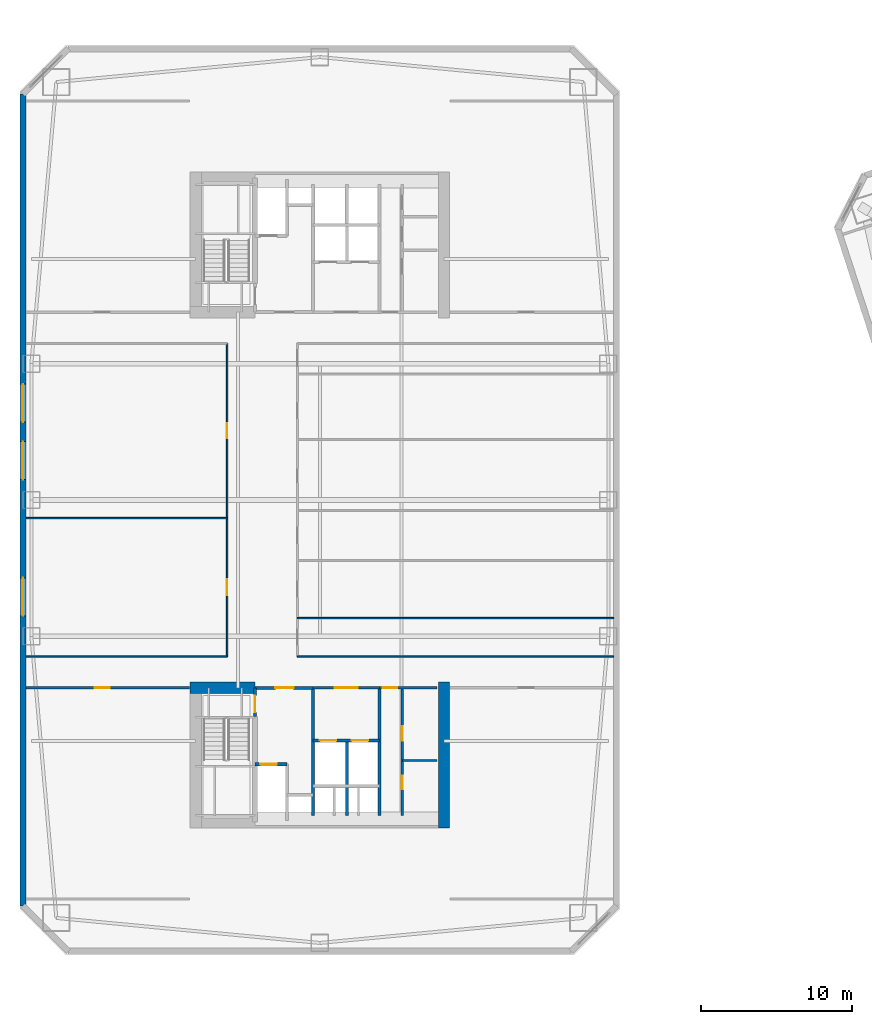
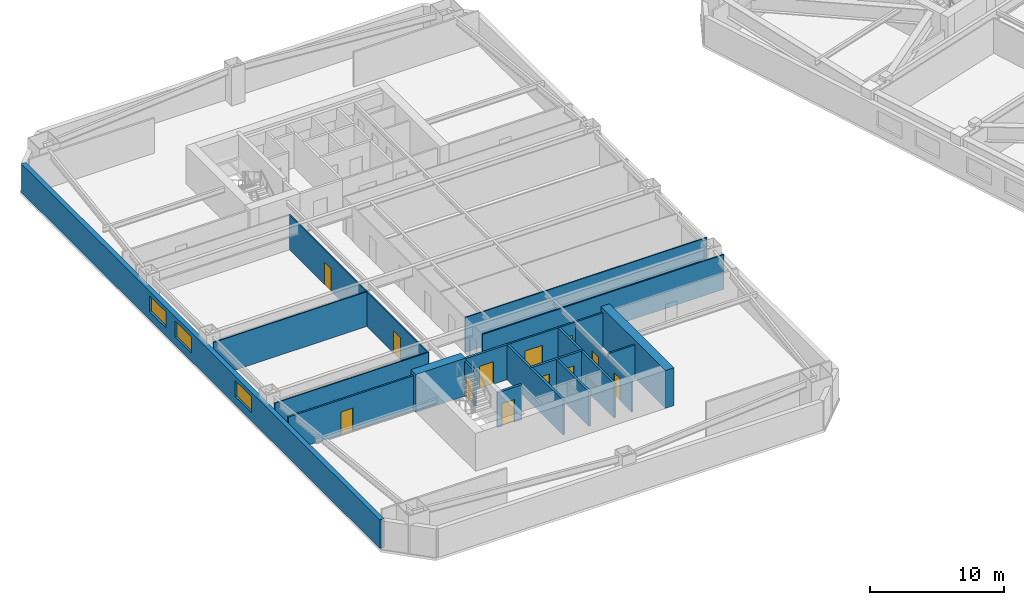
# One storey, part 11 of 18: 20 walls, 12 doors, 3 windows, 15 openings.
"""IFC4 building model written with IfcOpenShell, lengths in metres."""

from ifc_helpers import new_model, si_unit, direction, frame, frame_2d, origin, place, context, subcontext, project, spatial, rectangle, extrude, material, layer, layer_set, type_object, element, fill, save


model = new_model("IFC4")

# Units and contexts
model_context = context("Model", 3, precision=1e-05, world=origin(), true_north=direction((0.0, 1.0)))
body_context = subcontext(model_context, "Body", "Model", "MODEL_VIEW")
ifc_project = project(units=[si_unit("LENGTHUNIT", "METRE"), si_unit("AREAUNIT", "SQUARE_METRE"), si_unit("VOLUMEUNIT", "CUBIC_METRE"), si_unit("PLANEANGLEUNIT", "RADIAN"), si_unit("MASSUNIT", "GRAM", prefix="KILO")], contexts=[model_context])

# Site, building, storey
site_placement = place(None, origin())
site = spatial("IfcSite", under=ifc_project, at=site_placement, CompositionType="ELEMENT")
building_placement = place(site_placement, origin())
building = spatial("IfcBuilding", under=site, at=building_placement, Name="Qiaolan Cultural Towers", CompositionType="ELEMENT")
storey_placement = place(building_placement, frame((0.0, 0.0, 74.75)))
storey = spatial("IfcBuildingStorey", under=building, at=storey_placement, Name="L18", CompositionType="ELEMENT", Elevation=74.75)

# Walls
ifc_material_1 = material(Name="Concrete C60", Category="concrete")
ifc_layer_1 = layer(ifc_material_1, 0.75)
ifc_layer_set_1 = layer_set([ifc_layer_1], Name="Concrete C60")
wall_type_1 = type_object("IfcWallType", Name="WL-CORE-750", PredefinedType="SHEAR", material=ifc_layer_set_1)
wall_1_placement = place(storey_placement, frame((38.199951171875, 21.97509765625, 0.0), z_axis=(0.0, 0.0, 1.0), x_axis=(0.0, -1.0, 0.0)))
element("IfcWall", 1, at=wall_1_placement, inside=storey, type_object=wall_type_1, Name="L18 T1-CS East Core Shear Wall", PredefinedType="SHEAR", context=body_context, shape_type="SweptSolid", body=[
    extrude(rectangle(XDim=9.630126953125, YDim=0.75, at=frame_2d((4.81494140625, 0.0))), origin(), (0.0, 0.0, 1.0), 3.449951171875),
])
wall_2_placement = place(storey_placement, frame((21.425048828125, 21.60009765625, 0.0), z_axis=(0.0, 0.0, 1.0), x_axis=(1.0, 0.0, 0.0)))
element("IfcWall", 2, at=wall_2_placement, inside=storey, type_object=wall_type_1, Name="L18 T1-CS Stair Front Shear Wall", PredefinedType="SHEAR", context=body_context, shape_type="SweptSolid", body=[
    extrude(rectangle(XDim=4.294921875, YDim=0.75, at=frame_2d((2.1474609375, 0.0))), origin(), (0.0, 0.0, 1.0), 3.449951171875),
])

# Wall, openings, windows
ifc_material_2 = material(Name="Precast Concrete C50 Honed Stone Pier", Category="masonry")
ifc_layer_2 = layer(ifc_material_2, 0.39990234375)
ifc_layer_set_2 = layer_set([ifc_layer_2], Name="Precast Concrete C50 Honed Stone Pier")
wall_type_2 = type_object("IfcWallType", Name="WL-EXT-PIER-400", PredefinedType="SOLIDWALL", material=ifc_layer_set_2)
wall_3_placement = place(storey_placement, frame((10.39990234375, 7.199951171875, 0.0), z_axis=(0.0, 0.0, 1.0), x_axis=(0.0, 1.0, 0.0)))
wall_3 = element("IfcWall", 3, at=wall_3_placement, inside=storey, type_object=wall_type_2, Name="L18 West Tower Precast Pier Facade Wall F1", PredefinedType="SOLIDWALL", context=body_context, shape_type="SweptSolid", body=[
    extrude(rectangle(XDim=53.60009765625, YDim=0.39990234375, at=frame_2d((26.800048828125, 0.0))), origin(), (0.0, 0.0, 1.0), 2.610107421875),
])
opening_1_placement = place(wall_3_placement, frame((19.14990234375, 0.0, 0.75)))
opening_1 = element("IfcOpeningElement", 4, at=opening_1_placement, cuts=wall_3, Name="Opening W-01", PredefinedType="OPENING", context=body_context, shape_type="SweptSolid", body=[
    extrude(rectangle(XDim=2.5, YDim=1.4599609375, at=frame_2d((1.25, 0.72998046875))), frame((0.0, 0.2099609375, 0.0), z_axis=(0.0, -1.0, 0.0), x_axis=(1.0, 0.0, 0.0)), (0.0, 0.0, 1.0), 0.419921875),
])
opening_2_placement = place(wall_3_placement, frame((28.14990234375, 0.0, 0.75)))
opening_2 = element("IfcOpeningElement", 5, at=opening_2_placement, cuts=wall_3, Name="Opening W-01", PredefinedType="OPENING", context=body_context, shape_type="SweptSolid", body=[
    extrude(rectangle(XDim=2.5, YDim=1.4599609375, at=frame_2d((1.25, 0.72998046875))), frame((0.0, 0.2099609375, 0.0), z_axis=(0.0, -1.0, 0.0), x_axis=(1.0, 0.0, 0.0)), (0.0, 0.0, 1.0), 0.419921875),
])
opening_3_placement = place(wall_3_placement, frame((31.949951171875, 0.0, 0.75)))
opening_3 = element("IfcOpeningElement", 6, at=opening_3_placement, cuts=wall_3, Name="Opening W-01", PredefinedType="OPENING", context=body_context, shape_type="SweptSolid", body=[
    extrude(rectangle(XDim=2.5, YDim=1.4599609375, at=frame_2d((1.25, 0.72998046875))), frame((0.0, 0.2099609375, 0.0), z_axis=(0.0, -1.0, 0.0), x_axis=(1.0, 0.0, 0.0)), (0.0, 0.0, 1.0), 0.419921875),
])
ifc_material_3 = material(Name="Thermally Broken Aluminium Triple Low-E Glazing", Category="aluminium")
window_type = type_object("IfcWindowType", Name="WN-CHIC-2500", PartitioningType="SINGLE_PANEL", PredefinedType="WINDOW", material=ifc_material_3)
window_1_placement = place(opening_1_placement, origin())
window_1 = element("IfcWindow", 7, at=window_1_placement, inside=storey, type_object=window_type, Name="L18 T1 W Chicago Bay Window 1", OverallHeight=1.4599609375, OverallWidth=2.5, PartitioningType="TRIPLE_PANEL_VERTICAL", PredefinedType="WINDOW", context=body_context, shape_type="SweptSolid", body=[
    extrude(rectangle(XDim=2.5, YDim=1.4599609375, at=frame_2d((1.25, 0.72998046875))), frame((0.0, 0.030029296875, 0.0), z_axis=(0.0, -1.0, 0.0), x_axis=(1.0, 0.0, 0.0)), (0.0, 0.0, 1.0), 0.06005859375),
])
fill(opening_1, window_1)
window_2_placement = place(opening_2_placement, origin())
window_2 = element("IfcWindow", 8, at=window_2_placement, inside=storey, type_object=window_type, Name="L18 T1 W Chicago Bay Window 2", OverallHeight=1.4599609375, OverallWidth=2.5, PartitioningType="TRIPLE_PANEL_VERTICAL", PredefinedType="WINDOW", context=body_context, shape_type="SweptSolid", body=[
    extrude(rectangle(XDim=2.5, YDim=1.4599609375, at=frame_2d((1.25, 0.72998046875))), frame((0.0, 0.030029296875, 0.0), z_axis=(0.0, -1.0, 0.0), x_axis=(1.0, 0.0, 0.0)), (0.0, 0.0, 1.0), 0.06005859375),
])
fill(opening_2, window_2)
window_3_placement = place(opening_3_placement, origin())
window_3 = element("IfcWindow", 9, at=window_3_placement, inside=storey, type_object=window_type, Name="L18 T1 W Chicago Bay Window 3", OverallHeight=1.4599609375, OverallWidth=2.5, PartitioningType="TRIPLE_PANEL_VERTICAL", PredefinedType="WINDOW", context=body_context, shape_type="SweptSolid", body=[
    extrude(rectangle(XDim=2.5, YDim=1.4599609375, at=frame_2d((1.25, 0.72998046875))), frame((0.0, 0.030029296875, 0.0), z_axis=(0.0, -1.0, 0.0), x_axis=(1.0, 0.0, 0.0)), (0.0, 0.0, 1.0), 0.06005859375),
])
fill(opening_3, window_3)

# Wall, opening, door
ifc_material_4 = material(Name="Concrete C35 Fire Wall", Category="concrete")
ifc_layer_3 = layer(ifc_material_4, 0.199951171875)
ifc_layer_set_3 = layer_set([ifc_layer_3], Name="Concrete C35 Fire Wall")
wall_type_3 = type_object("IfcWallType", Name="WL-FIRE-200", PredefinedType="PARTITIONING", material=ifc_layer_set_3)
wall_4_placement = place(storey_placement, frame((25.719970703125, 21.60009765625, 0.0), z_axis=(0.0, 0.0, 1.0), x_axis=(0.0, -1.0, 0.0)))
wall_4 = element("IfcWall", 10, at=wall_4_placement, inside=storey, type_object=wall_type_3, Name="L18 T1-CS Smokeproof Stair Entry Wall", PredefinedType="PARTITIONING", context=body_context, shape_type="SweptSolid", body=[
    extrude(rectangle(XDim=1.900146484375, YDim=0.199951171875, at=frame_2d((0.9501953125, 0.0))), origin(), (0.0, 0.0, 1.0), 3.175048828125),
])
opening_4_placement = place(wall_4_placement, frame((0.52001953125, 0.0, 0.0)))
opening_4 = element("IfcOpeningElement", 11, at=opening_4_placement, cuts=wall_4, Name="Opening FD-04", PredefinedType="OPENING", context=body_context, shape_type="SweptSolid", body=[
    extrude(rectangle(XDim=1.10009765625, YDim=2.050048828125, at=frame_2d((0.550048828125, 1.02490234375))), frame((0.0, 0.10986328125, 0.0), z_axis=(0.0, -1.0, 0.0), x_axis=(1.0, 0.0, 0.0)), (0.0, 0.0, 1.0), 0.219970703125),
])
ifc_material_5 = material(Name="Galvanized Steel Command Fire Door", Category="steel")
door_type_1 = type_object("IfcDoorType", Name="DR-FD90-1100", OperationType="NOTDEFINED", PredefinedType="DOOR", material=ifc_material_5)
door_1_placement = place(opening_4_placement, origin())
door_1 = element("IfcDoor", 12, at=door_1_placement, inside=storey, type_object=door_type_1, Name="L18 ST-W1 Smokeproof Stair Fire Door", OperationType="SINGLE_SWING_LEFT", OverallHeight=2.050048828125, OverallWidth=1.10009765625, PredefinedType="DOOR", context=body_context, shape_type="SweptSolid", body=[
    extrude(rectangle(XDim=1.10009765625, YDim=2.050048828125, at=frame_2d((0.550048828125, 1.02490234375))), frame((0.0, 0.02490234375, 0.0), z_axis=(0.0, -1.0, 0.0), x_axis=(1.0, 0.0, 0.0)), (0.0, 0.0, 1.0), 0.050048828125),
])
fill(opening_4, door_1)

# Wall
wall_5_placement = place(storey_placement, frame((29.550048828125, 21.60009765625, 0.0), z_axis=(0.0, 0.0, 1.0), x_axis=(0.0, -1.0, 0.0)))
element("IfcWall", 13, at=wall_5_placement, inside=storey, type_object=wall_type_3, Name="L18 T1-CS Firefighting Zone Wall", PredefinedType="PARTITIONING", context=body_context, shape_type="SweptSolid", body=[
    extrude(rectangle(XDim=8.43017578125, YDim=0.199951171875, at=frame_2d((4.215087890625, 0.0))), origin(), (0.0, 0.0, 1.0), 3.175048828125),
])

# Wall, opening, door
wall_6_placement = place(storey_placement, frame((25.719970703125, 21.60009765625, 0.0), z_axis=(0.0, 0.0, 1.0), x_axis=(1.0, 0.0, 0.0)))
wall_6 = element("IfcWall", 14, at=wall_6_placement, inside=storey, type_object=wall_type_3, Name="L18 T1-CS Firefighting Lobby Front Wall", PredefinedType="PARTITIONING", context=body_context, shape_type="SweptSolid", body=[
    extrude(rectangle(XDim=3.830078125, YDim=0.199951171875, at=frame_2d((1.9150390625, 0.0))), origin(), (0.0, 0.0, 1.0), 3.175048828125),
])
opening_5_placement = place(wall_6_placement, frame((1.35009765625, 0.0, 0.0)))
opening_5 = element("IfcOpeningElement", 15, at=opening_5_placement, cuts=wall_6, Name="Opening FD-03", PredefinedType="OPENING", context=body_context, shape_type="SweptSolid", body=[
    extrude(rectangle(XDim=1.199951171875, YDim=2.050048828125, at=frame_2d((0.60009765625, 1.02490234375))), frame((0.0, 0.10986328125, 0.0), z_axis=(0.0, -1.0, 0.0), x_axis=(1.0, 0.0, 0.0)), (0.0, 0.0, 1.0), 0.219970703125),
])
ifc_material_6 = material(Name="Galvanized Steel Smokeproof Lobby Fire Door", Category="steel")
door_type_2 = type_object("IfcDoorType", Name="DR-FD90-1200", OperationType="NOTDEFINED", PredefinedType="DOOR", material=ifc_material_6)
door_2_placement = place(opening_5_placement, origin())
door_2 = element("IfcDoor", 16, at=door_2_placement, inside=storey, type_object=door_type_2, Name="L18 FFL-W1 Firefighting Lobby Fire Door", OperationType="SINGLE_SWING_LEFT", OverallHeight=2.050048828125, OverallWidth=1.199951171875, PredefinedType="DOOR", context=body_context, shape_type="SweptSolid", body=[
    extrude(rectangle(XDim=1.199951171875, YDim=2.050048828125, at=frame_2d((0.60009765625, 1.02490234375))), frame((0.0, 0.02490234375, 0.0), z_axis=(0.0, -1.0, 0.0), x_axis=(1.0, 0.0, 0.0)), (0.0, 0.0, 1.0), 0.050048828125),
])
fill(opening_5, door_2)

wall_7_placement = place(storey_placement, frame((25.719970703125, 16.550048828125, 0.0), z_axis=(0.0, 0.0, 1.0), x_axis=(1.0, 0.0, 0.0)))
wall_7 = element("IfcWall", 17, at=wall_7_placement, inside=storey, type_object=wall_type_3, Name="L18 T1-CS Firefighting Shaft Front Wall", PredefinedType="PARTITIONING", context=body_context, shape_type="SweptSolid", body=[
    extrude(rectangle(XDim=2.10009765625, YDim=0.199951171875, at=frame_2d((1.050048828125, 0.0))), origin(), (0.0, 0.0, 1.0), 3.175048828125),
])
opening_6_placement = place(wall_7_placement, frame((0.35009765625, 0.0, 0.0)))
opening_6 = element("IfcOpeningElement", 18, at=opening_6_placement, cuts=wall_7, Name="Opening LD-01", PredefinedType="OPENING", context=body_context, shape_type="SweptSolid", body=[
    extrude(rectangle(XDim=1.10009765625, YDim=2.050048828125, at=frame_2d((0.550048828125, 1.02490234375))), frame((0.0, 0.10986328125, 0.0), z_axis=(0.0, -1.0, 0.0), x_axis=(1.0, 0.0, 0.0)), (0.0, 0.0, 1.0), 0.219970703125),
])
ifc_material_7 = material(Name="Brushed Stainless Steel S30408 Centre-Parting Lift Landing Door", Category="steel")
door_type_3 = type_object("IfcDoorType", Name="DR-LIFT-1100", OperationType="NOTDEFINED", PredefinedType="DOOR", material=ifc_material_7)
door_3_placement = place(opening_6_placement, origin())
door_3 = element("IfcDoor", 19, at=door_3_placement, inside=storey, type_object=door_type_3, Name="L18 FFL-W1 Firefighting Lift Landing Door", OperationType="DOUBLE_DOOR_SLIDING", OverallHeight=2.050048828125, OverallWidth=1.10009765625, PredefinedType="DOOR", context=body_context, shape_type="SweptSolid", body=[
    extrude(rectangle(XDim=1.10009765625, YDim=2.050048828125, at=frame_2d((0.550048828125, 1.02490234375))), frame((0.0, 0.02490234375, 0.0), z_axis=(0.0, -1.0, 0.0), x_axis=(1.0, 0.0, 0.0)), (0.0, 0.0, 1.0), 0.050048828125),
])
fill(opening_6, door_3)

# Wall
wall_8_placement = place(storey_placement, frame((33.949951171875, 21.60009765625, 0.0), z_axis=(0.0, 0.0, 1.0), x_axis=(0.0, -1.0, 0.0)))
element("IfcWall", 20, at=wall_8_placement, inside=storey, type_object=wall_type_3, Name="L18 T1-CS Lift Core East Wall", PredefinedType="PARTITIONING", context=body_context, shape_type="SweptSolid", body=[
    extrude(rectangle(XDim=8.43017578125, YDim=0.199951171875, at=frame_2d((4.215087890625, 0.0))), origin(), (0.0, 0.0, 1.0), 3.175048828125),
])

# Wall, openings, doors
wall_9_placement = place(storey_placement, frame((29.550048828125, 18.1201171875, 0.0), z_axis=(0.0, 0.0, 1.0), x_axis=(1.0, 0.0, 0.0)))
wall_9 = element("IfcWall", 21, at=wall_9_placement, inside=storey, type_object=wall_type_3, Name="L18 T1-CS Passenger Lift Shaft Front Wall", PredefinedType="PARTITIONING", context=body_context, shape_type="SweptSolid", body=[
    extrude(rectangle(XDim=4.39990234375, YDim=0.199951171875, at=frame_2d((2.199951171875, 0.0))), origin(), (0.0, 0.0, 1.0), 3.175048828125),
])
opening_7_placement = place(wall_9_placement, frame((0.449951171875, 0.0, 0.0)))
opening_7 = element("IfcOpeningElement", 22, at=opening_7_placement, cuts=wall_9, Name="Opening LD-01", PredefinedType="OPENING", context=body_context, shape_type="SweptSolid", body=[
    extrude(rectangle(XDim=1.10009765625, YDim=2.050048828125, at=frame_2d((0.550048828125, 1.02490234375))), frame((0.0, 0.10986328125, 0.0), z_axis=(0.0, -1.0, 0.0), x_axis=(1.0, 0.0, 0.0)), (0.0, 0.0, 1.0), 0.219970703125),
])
opening_8_placement = place(wall_9_placement, frame((2.550048828125, 0.0, 0.0)))
opening_8 = element("IfcOpeningElement", 23, at=opening_8_placement, cuts=wall_9, Name="Opening LD-01", PredefinedType="OPENING", context=body_context, shape_type="SweptSolid", body=[
    extrude(rectangle(XDim=1.10009765625, YDim=2.050048828125, at=frame_2d((0.550048828125, 1.02490234375))), frame((0.0, 0.10986328125, 0.0), z_axis=(0.0, -1.0, 0.0), x_axis=(1.0, 0.0, 0.0)), (0.0, 0.0, 1.0), 0.219970703125),
])
door_4_placement = place(opening_7_placement, origin())
door_4 = element("IfcDoor", 24, at=door_4_placement, inside=storey, type_object=door_type_3, Name="L18 Passenger Lift 1 Landing Door", OperationType="DOUBLE_DOOR_SLIDING", OverallHeight=2.050048828125, OverallWidth=1.10009765625, PredefinedType="DOOR", context=body_context, shape_type="SweptSolid", body=[
    extrude(rectangle(XDim=1.10009765625, YDim=2.050048828125, at=frame_2d((0.550048828125, 1.02490234375))), frame((0.0, 0.02490234375, 0.0), z_axis=(0.0, -1.0, 0.0), x_axis=(1.0, 0.0, 0.0)), (0.0, 0.0, 1.0), 0.050048828125),
])
fill(opening_7, door_4)
door_5_placement = place(opening_8_placement, origin())
door_5 = element("IfcDoor", 25, at=door_5_placement, inside=storey, type_object=door_type_3, Name="L18 Passenger Lift 2 Landing Door", OperationType="DOUBLE_DOOR_SLIDING", OverallHeight=2.050048828125, OverallWidth=1.10009765625, PredefinedType="DOOR", context=body_context, shape_type="SweptSolid", body=[
    extrude(rectangle(XDim=1.10009765625, YDim=2.050048828125, at=frame_2d((0.550048828125, 1.02490234375))), frame((0.0, 0.02490234375, 0.0), z_axis=(0.0, -1.0, 0.0), x_axis=(1.0, 0.0, 0.0)), (0.0, 0.0, 1.0), 0.050048828125),
])
fill(opening_8, door_5)

# Walls
wall_10_placement = place(storey_placement, frame((31.780029296875, 18.1201171875, 0.0), z_axis=(0.0, 0.0, 1.0), x_axis=(0.0, -1.0, 0.0)))
element("IfcWall", 26, at=wall_10_placement, inside=storey, type_object=wall_type_3, Name="L18 T1-CS Lift Shaft Divider Wall", PredefinedType="PARTITIONING", context=body_context, shape_type="SweptSolid", body=[
    extrude(rectangle(XDim=4.9501953125, YDim=0.199951171875, at=frame_2d((2.47509765625, 0.0))), origin(), (0.0, 0.0, 1.0), 3.175048828125),
])
ifc_material_8 = material(Name="Acoustic Double-Glazed Partition Frame", Category="glass")
ifc_layer_4 = layer(ifc_material_8, 0.10009765625)
ifc_layer_set_4 = layer_set([ifc_layer_4], Name="Acoustic Double-Glazed Partition Frame")
wall_type_4 = type_object("IfcWallType", Name="WL-GLAZED-100", PredefinedType="MOVABLE", material=ifc_layer_set_4)
wall_11_placement = place(storey_placement, frame((10.60009765625, 23.64990234375, 0.0), z_axis=(0.0, 0.0, 1.0), x_axis=(1.0, 0.0, 0.0)))
element("IfcWall", 27, at=wall_11_placement, inside=storey, type_object=wall_type_4, Name="L18 T1 South Corridor Left Wall", PredefinedType="MOVABLE", context=body_context, shape_type="SweptSolid", body=[
    extrude(rectangle(XDim=13.27490234375, YDim=0.10009765625, at=frame_2d((6.637451171875, 0.0))), origin(), (0.0, 0.0, 1.0), 3.175048828125),
])
wall_12_placement = place(storey_placement, frame((28.52490234375, 23.64990234375, 0.0), z_axis=(0.0, 0.0, 1.0), x_axis=(1.0, 0.0, 0.0)))
element("IfcWall", 28, at=wall_12_placement, inside=storey, type_object=wall_type_4, Name="L18 T1 South Corridor Right Wall", PredefinedType="MOVABLE", context=body_context, shape_type="SweptSolid", body=[
    extrude(rectangle(XDim=20.875, YDim=0.10009765625, at=frame_2d((10.4375, 0.0))), origin(), (0.0, 0.0, 1.0), 3.175048828125),
])

# Wall, openings, doors
wall_13_placement = place(storey_placement, frame((23.875, 23.64990234375, 0.0), z_axis=(0.0, 0.0, 1.0), x_axis=(0.0, 1.0, 0.0)))
wall_13 = element("IfcWall", 29, at=wall_13_placement, inside=storey, type_object=wall_type_4, Name="L18 T1 West Spine Wall", PredefinedType="MOVABLE", context=body_context, shape_type="SweptSolid", body=[
    extrude(rectangle(XDim=20.7001953125, YDim=0.10009765625, at=frame_2d((10.35009765625, 0.0))), origin(), (0.0, 0.0, 1.0), 3.175048828125),
])
opening_9_placement = place(wall_13_placement, frame((4.074951171875, 0.0, 0.0)))
opening_9 = element("IfcOpeningElement", 30, at=opening_9_placement, cuts=wall_13, Name="Opening ID-07", PredefinedType="OPENING", context=body_context, shape_type="SweptSolid", body=[
    extrude(rectangle(XDim=1.050048828125, YDim=2.050048828125, at=frame_2d((0.52490234375, 1.02490234375))), frame((0.0, 0.06005859375, 0.0), z_axis=(0.0, -1.0, 0.0), x_axis=(1.0, 0.0, 0.0)), (0.0, 0.0, 1.0), 0.1201171875),
])
opening_10_placement = place(wall_13_placement, frame((14.425048828125, 0.0, 0.0)))
opening_10 = element("IfcOpeningElement", 31, at=opening_10_placement, cuts=wall_13, Name="Opening ID-04", PredefinedType="OPENING", context=body_context, shape_type="SweptSolid", body=[
    extrude(rectangle(XDim=1.0, YDim=2.050048828125, at=frame_2d((0.5, 1.02490234375))), frame((0.0, 0.06005859375, 0.0), z_axis=(0.0, -1.0, 0.0), x_axis=(1.0, 0.0, 0.0)), (0.0, 0.0, 1.0), 0.1201171875),
])
ifc_material_9 = material(Name="Oak Veneer Acoustic Office Door", Category="timber")
door_type_4 = type_object("IfcDoorType", Name="DR-INT-1000", OperationType="NOTDEFINED", PredefinedType="DOOR", material=ifc_material_9)
door_6_placement = place(opening_10_placement, origin())
door_6 = element("IfcDoor", 32, at=door_6_placement, inside=storey, type_object=door_type_4, Name="L18 T1 Cultural Media Hall Door", OperationType="SINGLE_SWING_RIGHT", OverallHeight=2.050048828125, OverallWidth=1.0, PredefinedType="DOOR", context=body_context, shape_type="SweptSolid", body=[
    extrude(rectangle(XDim=1.0, YDim=2.050048828125, at=frame_2d((0.5, 1.02490234375))), frame((0.0, 0.02490234375, 0.0), z_axis=(0.0, -1.0, 0.0), x_axis=(1.0, 0.0, 0.0)), (0.0, 0.0, 1.0), 0.050048828125),
])
fill(opening_10, door_6)
ifc_material_10 = material(Name="Oak Veneer Consultation Door", Category="timber")
door_type_5 = type_object("IfcDoorType", Name="DR-INT-1050", OperationType="NOTDEFINED", PredefinedType="DOOR", material=ifc_material_10)
door_7_placement = place(opening_9_placement, origin())
door_7 = element("IfcDoor", 33, at=door_7_placement, inside=storey, type_object=door_type_5, Name="L18 T1 Open Design Atelier Door", OperationType="SINGLE_SWING_LEFT", OverallHeight=2.050048828125, OverallWidth=1.050048828125, PredefinedType="DOOR", context=body_context, shape_type="SweptSolid", body=[
    extrude(rectangle(XDim=1.050048828125, YDim=2.050048828125, at=frame_2d((0.52490234375, 1.02490234375))), frame((0.0, 0.02490234375, 0.0), z_axis=(0.0, -1.0, 0.0), x_axis=(1.0, 0.0, 0.0)), (0.0, 0.0, 1.0), 0.050048828125),
])
fill(opening_9, door_7)

# Walls
wall_14_placement = place(storey_placement, frame((10.60009765625, 32.800048828125, 0.0), z_axis=(0.0, 0.0, 1.0), x_axis=(1.0, 0.0, 0.0)))
element("IfcWall", 34, at=wall_14_placement, inside=storey, type_object=wall_type_4, Name="L18 T1 West Partition 1", PredefinedType="MOVABLE", context=body_context, shape_type="SweptSolid", body=[
    extrude(rectangle(XDim=13.27490234375, YDim=0.10009765625, at=frame_2d((6.637451171875, 0.0))), origin(), (0.0, 0.0, 1.0), 3.175048828125),
])
wall_15_placement = place(storey_placement, frame((28.52490234375, 26.199951171875, 0.0), z_axis=(0.0, 0.0, 1.0), x_axis=(1.0, 0.0, 0.0)))
element("IfcWall", 35, at=wall_15_placement, inside=storey, type_object=wall_type_4, Name="L18 T1 East Partition 1", PredefinedType="MOVABLE", context=body_context, shape_type="SweptSolid", body=[
    extrude(rectangle(XDim=20.875, YDim=0.10009765625, at=frame_2d((10.4375, 0.0))), origin(), (0.0, 0.0, 1.0), 3.175048828125),
])

# Wall, opening, door
ifc_material_11 = material(Name="Autoclaved Aerated Concrete Block B06", Category="concrete")
ifc_layer_5 = layer(ifc_material_11, 0.14990234375)
ifc_layer_set_5 = layer_set([ifc_layer_5], Name="Autoclaved Aerated Concrete Block B06")
wall_type_5 = type_object("IfcWallType", Name="WL-PART-150", PredefinedType="PARTITIONING", material=ifc_layer_set_5)
wall_16_placement = place(storey_placement, frame((29.550048828125, 21.60009765625, 0.0), z_axis=(0.0, 0.0, 1.0), x_axis=(1.0, 0.0, 0.0)))
wall_16 = element("IfcWall", 36, at=wall_16_placement, inside=storey, type_object=wall_type_5, Name="L18 T1-CS Passenger Lift Lobby Front Wall", PredefinedType="PARTITIONING", context=body_context, shape_type="SweptSolid", body=[
    extrude(rectangle(XDim=4.39990234375, YDim=0.14990234375, at=frame_2d((2.199951171875, 0.0))), origin(), (0.0, 0.0, 1.0), 3.175048828125),
])
opening_11_placement = place(wall_16_placement, frame((1.449951171875, 0.0, 0.0)))
opening_11 = element("IfcOpeningElement", 37, at=opening_11_placement, cuts=wall_16, Name="Opening FD-05", PredefinedType="OPENING", context=body_context, shape_type="SweptSolid", body=[
    extrude(rectangle(XDim=1.5, YDim=2.050048828125, at=frame_2d((0.75, 1.02490234375))), frame((0.0, 0.0849609375, 0.0), z_axis=(0.0, -1.0, 0.0), x_axis=(1.0, 0.0, 0.0)), (0.0, 0.0, 1.0), 0.169921875),
])
ifc_material_12 = material(Name="Painted Steel Lift Lobby Fire Door", Category="steel")
door_type_6 = type_object("IfcDoorType", Name="DR-FD60-1500", OperationType="NOTDEFINED", PredefinedType="DOOR", material=ifc_material_12)
door_8_placement = place(opening_11_placement, origin())
door_8 = element("IfcDoor", 38, at=door_8_placement, inside=storey, type_object=door_type_6, Name="L18 Passenger Lift Lobby Entrance", OperationType="SINGLE_SWING_LEFT", OverallHeight=2.050048828125, OverallWidth=1.5, PredefinedType="DOOR", context=body_context, shape_type="SweptSolid", body=[
    extrude(rectangle(XDim=1.5, YDim=2.050048828125, at=frame_2d((0.75, 1.02490234375))), frame((0.0, 0.02490234375, 0.0), z_axis=(0.0, -1.0, 0.0), x_axis=(1.0, 0.0, 0.0)), (0.0, 0.0, 1.0), 0.050048828125),
])
fill(opening_11, door_8)

wall_17_placement = place(storey_placement, frame((33.949951171875, 21.60009765625, 0.0), z_axis=(0.0, 0.0, 1.0), x_axis=(1.0, 0.0, 0.0)))
wall_17 = element("IfcWall", 39, at=wall_17_placement, inside=storey, type_object=wall_type_5, Name="L18 T1-CS Sanitary Core Front Wall", PredefinedType="PARTITIONING", context=body_context, shape_type="SweptSolid", body=[
    extrude(rectangle(XDim=3.800048828125, YDim=0.14990234375, at=frame_2d((1.89990234375, 0.0))), origin(), (0.0, 0.0, 1.0), 3.175048828125),
])
opening_12_placement = place(wall_17_placement, frame((0.219970703125, 0.0, 0.0)))
opening_12 = element("IfcOpeningElement", 40, at=opening_12_placement, cuts=wall_17, Name="Opening ID-05", PredefinedType="OPENING", context=body_context, shape_type="SweptSolid", body=[
    extrude(rectangle(XDim=0.949951171875, YDim=2.050048828125, at=frame_2d((0.47509765625, 1.02490234375))), frame((0.0, 0.0849609375, 0.0), z_axis=(0.0, -1.0, 0.0), x_axis=(1.0, 0.0, 0.0)), (0.0, 0.0, 1.0), 0.169921875),
])
ifc_material_13 = material(Name="Fire-Rated Laminate Accessible Core Door", Category="timber")
door_type_7 = type_object("IfcDoorType", Name="DR-INT-950", OperationType="NOTDEFINED", PredefinedType="DOOR", material=ifc_material_13)
door_9_placement = place(opening_12_placement, origin())
door_9 = element("IfcDoor", 41, at=door_9_placement, inside=storey, type_object=door_type_7, Name="L18 Sanitary Lobby Door", OperationType="SINGLE_SWING_LEFT", OverallHeight=2.050048828125, OverallWidth=0.949951171875, PredefinedType="DOOR", context=body_context, shape_type="SweptSolid", body=[
    extrude(rectangle(XDim=0.949951171875, YDim=2.050048828125, at=frame_2d((0.47509765625, 1.02490234375))), frame((0.0, 0.02490234375, 0.0), z_axis=(0.0, -1.0, 0.0), x_axis=(1.0, 0.0, 0.0)), (0.0, 0.0, 1.0), 0.050048828125),
])
fill(opening_12, door_9)

# Wall, openings, doors
wall_18_placement = place(storey_placement, frame((35.449951171875, 21.60009765625, 0.0), z_axis=(0.0, 0.0, 1.0), x_axis=(0.0, -1.0, 0.0)))
wall_18 = element("IfcWall", 42, at=wall_18_placement, inside=storey, type_object=wall_type_5, Name="L18 T1-CS Washroom Split Wall", PredefinedType="PARTITIONING", context=body_context, shape_type="SweptSolid", body=[
    extrude(rectangle(XDim=8.43017578125, YDim=0.14990234375, at=frame_2d((4.215087890625, 0.0))), origin(), (0.0, 0.0, 1.0), 2.764892578125),
])
opening_13_placement = place(wall_18_placement, frame((2.550048828125, 0.0, 0.0)))
opening_13 = element("IfcOpeningElement", 43, at=opening_13_placement, cuts=wall_18, Name="Opening ID-05", PredefinedType="OPENING", context=body_context, shape_type="SweptSolid", body=[
    extrude(rectangle(XDim=0.949951171875, YDim=2.050048828125, at=frame_2d((0.47509765625, 1.02490234375))), frame((0.0, 0.0849609375, 0.0), z_axis=(0.0, -1.0, 0.0), x_axis=(1.0, 0.0, 0.0)), (0.0, 0.0, 1.0), 0.169921875),
])
opening_14_placement = place(wall_18_placement, frame((5.800048828125, 0.0, 0.0)))
opening_14 = element("IfcOpeningElement", 44, at=opening_14_placement, cuts=wall_18, Name="Opening ID-06", PredefinedType="OPENING", context=body_context, shape_type="SweptSolid", body=[
    extrude(rectangle(XDim=0.89990234375, YDim=2.050048828125, at=frame_2d((0.449951171875, 1.02490234375))), frame((0.0, 0.0849609375, 0.0), z_axis=(0.0, -1.0, 0.0), x_axis=(1.0, 0.0, 0.0)), (0.0, 0.0, 1.0), 0.169921875),
])
ifc_material_14 = material(Name="Fire-Rated Laminate Core Service Door", Category="timber")
door_type_8 = type_object("IfcDoorType", Name="DR-INT-900", OperationType="NOTDEFINED", PredefinedType="DOOR", material=ifc_material_14)
door_10_placement = place(opening_14_placement, origin())
door_10 = element("IfcDoor", 45, at=door_10_placement, inside=storey, type_object=door_type_8, Name="L18 First-Aid Room Door", OperationType="SINGLE_SWING_RIGHT", OverallHeight=2.050048828125, OverallWidth=0.89990234375, PredefinedType="DOOR", context=body_context, shape_type="SweptSolid", body=[
    extrude(rectangle(XDim=0.89990234375, YDim=2.050048828125, at=frame_2d((0.449951171875, 1.02490234375))), frame((0.0, 0.02490234375, 0.0), z_axis=(0.0, -1.0, 0.0), x_axis=(1.0, 0.0, 0.0)), (0.0, 0.0, 1.0), 0.050048828125),
])
fill(opening_14, door_10)
door_11_placement = place(opening_13_placement, origin())
door_11 = element("IfcDoor", 46, at=door_11_placement, inside=storey, type_object=door_type_7, Name="L18 Accessible Washroom Door", OperationType="SINGLE_SWING_LEFT", OverallHeight=2.050048828125, OverallWidth=0.949951171875, PredefinedType="DOOR", context=body_context, shape_type="SweptSolid", body=[
    extrude(rectangle(XDim=0.949951171875, YDim=2.050048828125, at=frame_2d((0.47509765625, 1.02490234375))), frame((0.0, 0.02490234375, 0.0), z_axis=(0.0, -1.0, 0.0), x_axis=(1.0, 0.0, 0.0)), (0.0, 0.0, 1.0), 0.050048828125),
])
fill(opening_13, door_11)

# Wall
wall_19_placement = place(storey_placement, frame((35.449951171875, 16.800048828125, 0.0), z_axis=(0.0, 0.0, 1.0), x_axis=(1.0, 0.0, 0.0)))
element("IfcWall", 47, at=wall_19_placement, inside=storey, type_object=wall_type_5, Name="L18 T1-CS First-Aid Wall", PredefinedType="PARTITIONING", context=body_context, shape_type="SweptSolid", body=[
    extrude(rectangle(XDim=2.300048828125, YDim=0.14990234375, at=frame_2d((1.14990234375, 0.0))), origin(), (0.0, 0.0, 1.0), 3.175048828125),
])

# Wall, opening, door
wall_20_placement = place(storey_placement, frame((10.60009765625, 21.60009765625, 0.0), z_axis=(0.0, 0.0, 1.0), x_axis=(1.0, 0.0, 0.0)))
wall_20 = element("IfcWall", 48, at=wall_20_placement, inside=storey, type_object=wall_type_5, Name="L18 T1 Flank Front FLK-SW", PredefinedType="PARTITIONING", context=body_context, shape_type="SweptSolid", body=[
    extrude(rectangle(XDim=10.7998046875, YDim=0.14990234375, at=frame_2d((5.39990234375, 0.0))), origin(), (0.0, 0.0, 1.0), 3.175048828125),
])
opening_15_placement = place(wall_20_placement, frame((4.535888671875, 0.0, 0.0)))
opening_15 = element("IfcOpeningElement", 49, at=opening_15_placement, cuts=wall_20, Name="Opening ID-04", PredefinedType="OPENING", context=body_context, shape_type="SweptSolid", body=[
    extrude(rectangle(XDim=1.0, YDim=2.050048828125, at=frame_2d((0.5, 1.02490234375))), frame((0.0, 0.0849609375, 0.0), z_axis=(0.0, -1.0, 0.0), x_axis=(1.0, 0.0, 0.0)), (0.0, 0.0, 1.0), 0.169921875),
])
door_12_placement = place(opening_15_placement, origin())
door_12 = element("IfcDoor", 50, at=door_12_placement, inside=storey, type_object=door_type_4, Name="L18 T1 Corner Studio Door", OperationType="SINGLE_SWING_LEFT", OverallHeight=2.050048828125, OverallWidth=1.0, PredefinedType="DOOR", context=body_context, shape_type="SweptSolid", body=[
    extrude(rectangle(XDim=1.0, YDim=2.050048828125, at=frame_2d((0.5, 1.02490234375))), frame((0.0, 0.02490234375, 0.0), z_axis=(0.0, -1.0, 0.0), x_axis=(1.0, 0.0, 0.0)), (0.0, 0.0, 1.0), 0.050048828125),
])
fill(opening_15, door_12)

save(model, "model.ifc")
